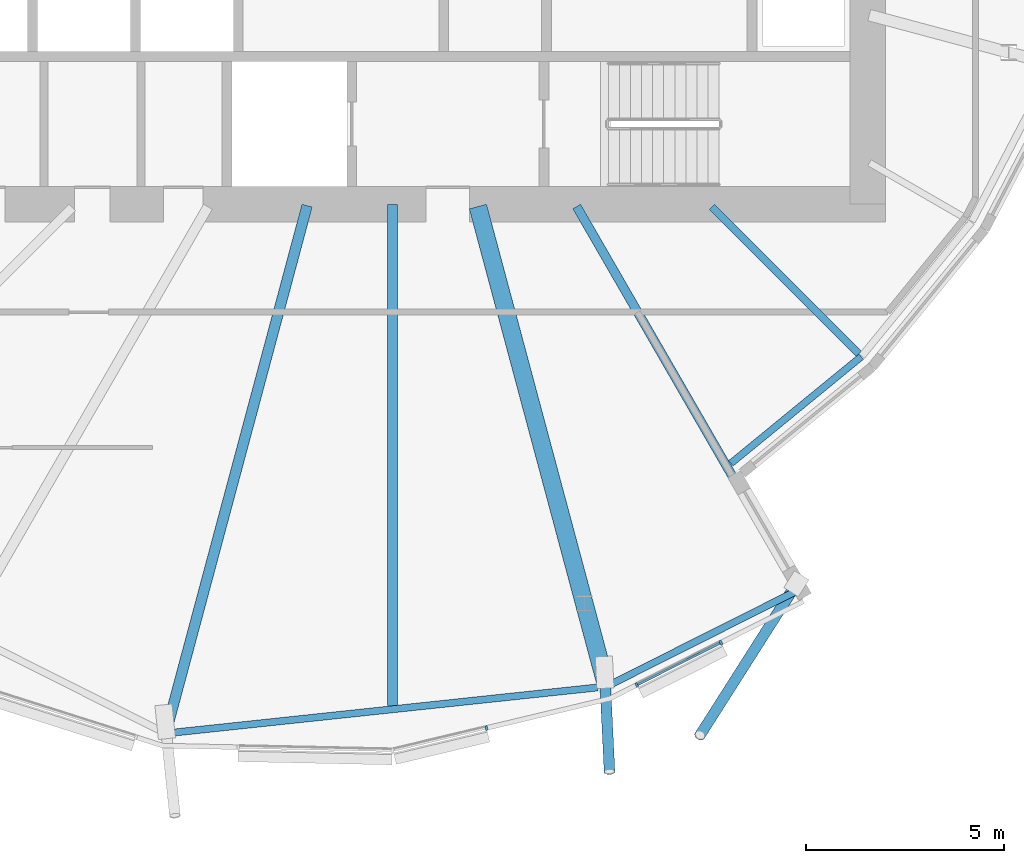
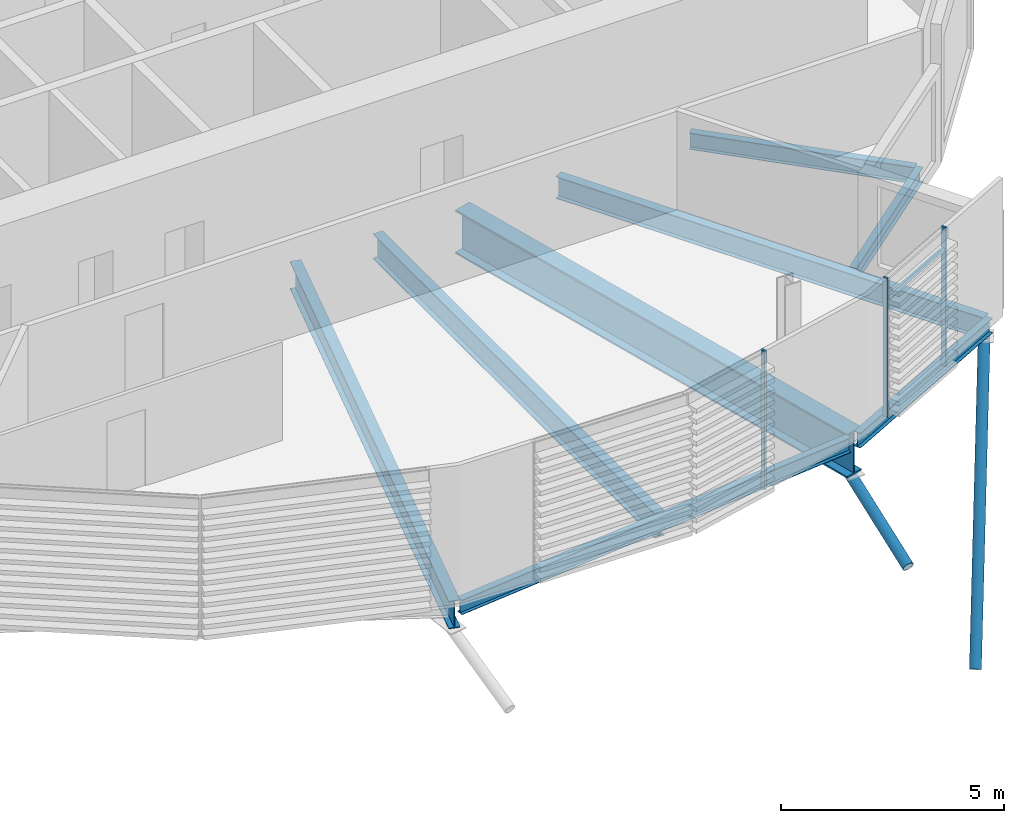
# One storey, part 13 of 38: 8 beams, 6 members, 1 element without a shape of its own.
"""IFC4 building model written with IfcOpenShell, lengths in metres."""

import ifcopenshell
import ifcopenshell.guid

model = None  # the IFC model being written
_history = None  # IfcOwnerHistory: only IFC2X3 demands one
_inside = {}  # id of a spatial element -> (the spatial element, [elements in it])
_under = {}  # id of a project, library or spatial element -> (it, [spatial elements below it])
_declared = {}  # id of a project -> (the project, [libraries it declares])
_typed = {}  # id of a type object -> (the type object, [elements of that type])
_made_of = {}  # id of a material, layer set ... -> (it, [elements and type objects made of it])


def new_model(schema):
    """Start an empty IFC model of exactly this schema.

    Asked for "IFC4X3", IfcOpenShell would pick the latest addendum, in which some entities
    have other attributes; the version numbers below select the first issue.
    IFC2X3 requires an IfcOwnerHistory on every rooted entity: one is made here for all.
    """
    global model, _history
    if schema == "IFC4X3":
        model = ifcopenshell.file(schema_version=(4, 3, 0, 0))
    else:
        model = ifcopenshell.file(schema=schema)
    _inside.clear()
    _under.clear()
    _declared.clear()
    _typed.clear()
    _made_of.clear()
    _history = None
    if model.schema == "IFC2X3":
        org = make("IfcOrganization", Name="unknown")
        user = make(
            "IfcPersonAndOrganization",
            ThePerson=make("IfcPerson", FamilyName="unknown"),
            TheOrganization=org,
        )
        app = make(
            "IfcApplication",
            ApplicationDeveloper=org,
            Version="unknown",
            ApplicationFullName="unknown",
            ApplicationIdentifier="unknown",
        )
        _history = make(
            "IfcOwnerHistory",
            OwningUser=user,
            OwningApplication=app,
            ChangeAction="ADDED",
            CreationDate=0,
        )
    return model


def make(cls, **values):
    """One entity of the class cls with the attributes given. An attribute that is None is left unset."""
    return model.create_entity(
        cls, **{name: value for name, value in values.items() if value is not None}
    )


def rooted(cls, **values):
    """An entity with a GlobalId (a new one), such as an element, a storey or a relation."""
    return make(cls, GlobalId=ifcopenshell.guid.new(), OwnerHistory=_history, **values)


def si_unit(unit_type, name, prefix=None):
    """IfcSIUnit, for example si_unit("LENGTHUNIT", "METRE", prefix="MILLI")."""
    return make("IfcSIUnit", UnitType=unit_type, Prefix=prefix, Name=name)


def assignment(units):
    """IfcUnitAssignment: the units of a project."""
    return None if units is None else make("IfcUnitAssignment", Units=units)


def point(xyz):
    """IfcCartesianPoint."""
    return None if xyz is None else make("IfcCartesianPoint", Coordinates=xyz)


def direction(xyz):
    """IfcDirection."""
    return None if xyz is None else make("IfcDirection", DirectionRatios=xyz)


def frame(location, z_axis=None, x_axis=None):
    """IfcAxis2Placement3D, a coordinate frame: its origin and axes. An axis left out is left unset."""
    return make(
        "IfcAxis2Placement3D",
        Location=point(location),
        Axis=direction(z_axis),
        RefDirection=direction(x_axis),
    )


def frame_2d(location, x_axis=None):
    """IfcAxis2Placement2D, a coordinate frame in the plane: its origin and x axis."""
    return make(
        "IfcAxis2Placement2D", Location=point(location), RefDirection=direction(x_axis)
    )


def origin():
    """The frame at (0, 0, 0) with its axes left unset."""
    return frame((0.0, 0.0, 0.0))


def origin_2d():
    """The frame at (0, 0) in the plane with its x axis left unset."""
    return frame_2d((0.0, 0.0))


def place(relative_to, where):
    """IfcLocalPlacement: puts the frame where relative to a parent placement (None: the world)."""
    return make(
        "IfcLocalPlacement", PlacementRelTo=relative_to, RelativePlacement=where
    )


def context(
    kind, dimensions, precision=None, world=None, true_north=None, identifier=None
):
    """IfcGeometricRepresentationContext, for example the 3D "Model" context."""
    return make(
        "IfcGeometricRepresentationContext",
        ContextIdentifier=identifier,
        ContextType=kind,
        CoordinateSpaceDimension=dimensions,
        Precision=precision,
        WorldCoordinateSystem=world,
        TrueNorth=true_north,
    )


def subcontext(parent, identifier, kind, view, scale=None):
    """IfcGeometricRepresentationSubContext, for example "Body" below "Model"."""
    return make(
        "IfcGeometricRepresentationSubContext",
        ContextIdentifier=identifier,
        ContextType=kind,
        ParentContext=parent,
        TargetScale=scale,
        TargetView=view,
    )


def project(units=None, contexts=None):
    """IfcProject with its units and contexts."""
    return rooted(
        "IfcProject",
        Name="project",
        RepresentationContexts=contexts,
        UnitsInContext=assignment(units),
    )


def spatial(cls, under=None, at=None, **own):
    """A site, building, storey or space (cls), placed at a placement, below another one or the project."""
    s = rooted(cls, ObjectPlacement=at, **own)
    if under is not None:
        _under.setdefault(under.id(), (under, []))[1].append(s)
    return s


def profile(cls, at=None, kind="AREA", **sizes):
    """A parametric profile (cls). Its sizes go by their IFC names, for example OverallWidth=200.0."""
    return make(cls, ProfileType=kind, Position=at, **sizes)


def rectangle(**sizes):
    """IfcRectangleProfileDef."""
    return profile("IfcRectangleProfileDef", **sizes)


def hollow_circle(**sizes):
    """IfcCircleHollowProfileDef."""
    return profile("IfcCircleHollowProfileDef", **sizes)


def i_section(**sizes):
    """IfcIShapeProfileDef."""
    return profile("IfcIShapeProfileDef", **sizes)


def extrude(swept, where, along, depth):
    """IfcExtrudedAreaSolid: the profile swept, set in the frame where, extruded along a direction by depth."""
    return make(
        "IfcExtrudedAreaSolid",
        SweptArea=swept,
        Position=where,
        ExtrudedDirection=direction(along),
        Depth=depth,
    )


def clip(a, b, op="DIFFERENCE"):
    """IfcBooleanClippingResult: the solid a cut by the half space b."""
    return make(
        "IfcBooleanClippingResult", Operator=op, FirstOperand=a, SecondOperand=b
    )


def halfspace(plane, agree):
    """IfcHalfSpaceSolid: all space on one side of the plane z = 0 of the frame plane."""
    return make(
        "IfcHalfSpaceSolid",
        BaseSurface=make("IfcPlane", Position=plane),
        AgreementFlag=agree,
    )


def shape(context_of_items, identifier, shape_type, items):
    """IfcShapeRepresentation: the items that make up one representation, for example the "Body"."""
    return make(
        "IfcShapeRepresentation",
        ContextOfItems=context_of_items,
        RepresentationIdentifier=identifier,
        RepresentationType=shape_type,
        Items=items,
    )


def material(Name=None, Category=None):
    """IfcMaterial."""
    return make("IfcMaterial", Name=Name, Category=Category)


def material_profile(
    of_material, cross_section, Name=None, Category=None, Priority=None
):
    """IfcMaterialProfile: a cross section and its material."""
    return make(
        "IfcMaterialProfile",
        Name=Name,
        Material=of_material,
        Profile=cross_section,
        Priority=Priority,
        Category=Category,
    )


def profile_set(profiles, Name=None, composite=None):
    """IfcMaterialProfileSet."""
    return make(
        "IfcMaterialProfileSet",
        Name=Name,
        MaterialProfiles=profiles,
        CompositeProfile=composite,
    )


def made_of(thing, what):
    """Note that an element or type object is made of a material, layer set ...; save() writes the relation."""
    if what is not None:
        _made_of.setdefault(what.id(), (what, []))[1].append(thing)
    return thing


def type_object(cls, material=None, **own):
    """A type object (cls), such as IfcWallType, which elements share."""
    return made_of(rooted(cls, **own), material)


def element(
    cls,
    number,
    at=None,
    inside=None,
    cuts=None,
    type_object=None,
    material=None,
    context=None,
    identifier="Body",
    shape_type=None,
    held_by="IfcProductDefinitionShape",
    body=None,
    shapes=None,
    **own,
):
    """One element of the class cls, such as IfcWall. Its Tag is "e" and its number.

    at: its placement. inside: the storey or other place that contains it. cuts: it is an
    opening in that element (IfcRelVoidsElement). A single representation is given by context,
    identifier, shape_type and body (its items); several are given by shapes. held_by: the class
    of the entity that holds the representations. save() writes the other relations.
    """
    e = rooted(cls, Tag="e%d" % number, ObjectPlacement=at, **own)
    if body is not None:
        shapes = [shape(context, identifier, shape_type, body)]
    if shapes is not None:
        e.Representation = make(held_by, Representations=shapes)
    if inside is not None:
        _inside.setdefault(inside.id(), (inside, []))[1].append(e)
    if cuts is not None:
        rooted(
            "IfcRelVoidsElement", RelatingBuildingElement=cuts, RelatedOpeningElement=e
        )
    if type_object is not None:
        _typed.setdefault(type_object.id(), (type_object, []))[1].append(e)
    return made_of(e, material)


def aggregate(whole, parts):
    """IfcRelAggregates: a whole, such as a stair, and the parts it consists of."""
    return rooted("IfcRelAggregates", RelatingObject=whole, RelatedObjects=parts)


def save(model, path):
    """Write the relations noted so far, then the file.

    IfcRelAggregates (storeys below a building ...), IfcRelContainedInSpatialStructure (elements
    in a storey), IfcRelDefinesByType, IfcRelAssociatesMaterial and IfcRelDeclares: one each for
    every whole, place, type object, material and project.
    """
    for whole, parts in _under.values():
        aggregate(whole, parts)
    for where, things in _inside.values():
        rooted(
            "IfcRelContainedInSpatialStructure",
            RelatedElements=things,
            RelatingStructure=where,
        )
    for kind, things in _typed.values():
        rooted("IfcRelDefinesByType", RelatedObjects=things, RelatingType=kind)
    for what, things in _made_of.values():
        rooted("IfcRelAssociatesMaterial", RelatedObjects=things, RelatingMaterial=what)
    for by, libraries in _declared.values():
        rooted("IfcRelDeclares", RelatingContext=by, RelatedDefinitions=libraries)
    model.write(path)


model = new_model("IFC4")

# Units and contexts
model_context = context("Model", 3, precision=1e-05, world=origin(), true_north=direction((0.0, 1.0)))
body_context = subcontext(model_context, "Body", "Model", "MODEL_VIEW")
ifc_project = project(units=[si_unit("LENGTHUNIT", "METRE"), si_unit("AREAUNIT", "SQUARE_METRE"), si_unit("VOLUMEUNIT", "CUBIC_METRE"), si_unit("PLANEANGLEUNIT", "RADIAN"), si_unit("MASSUNIT", "GRAM", prefix="KILO")], contexts=[model_context])

# Site, building, storey
site_placement = place(None, origin())
site = spatial("IfcSite", under=ifc_project, at=site_placement, CompositionType="ELEMENT")
building_placement = place(site_placement, origin())
building = spatial("IfcBuilding", under=site, at=building_placement, Name="Rimbun Link Towers", CompositionType="ELEMENT")
storey_placement = place(building_placement, frame((0.0, 0.0, 56.60009765625)))
storey = spatial("IfcBuildingStorey", under=building, at=storey_placement, Name="L13", CompositionType="ELEMENT", Elevation=56.60009765625)

# Curtain wall, members
ifc_material_1 = material(Name="Aluminium 6063-T6 and low-iron glass", Category="aluminium")
curtain_wall_type = type_object("IfcCurtainWallType", Name="CW1 unitised vision wall", PredefinedType="NOTDEFINED", material=ifc_material_1)
curtain_wall_placement = place(storey_placement, origin())
curtain_wall = element("IfcCurtainWall", 1, at=curtain_wall_placement, inside=storey, type_object=curtain_wall_type, Name="CW1 L13 T2", PredefinedType="NOTDEFINED")
ifc_material_2 = material(Name="Aluminium 6063-T6", Category="aluminium")
ifc_material_profile_1 = material_profile(ifc_material_2, rectangle(XDim=0.1201171875, YDim=0.06005859375, at=origin_2d()), Name="MULLION 60X120")
ifc_profile_set_1 = profile_set([ifc_material_profile_1], Name="Aluminium 6063-T6")
member_type_1 = type_object("IfcMemberType", Name="CW1 mullion 60X120", PredefinedType="MULLION", material=ifc_profile_set_1)
member_1_placement = place(storey_placement, frame((34.123779296875, -21.224365234375, 0.0), z_axis=(0.0, 0.0, 1.0), x_axis=(0.232603182737, -0.972571724543, 0.0)))
member_1 = element("IfcMember", 2, at=member_1_placement, type_object=member_type_1, Name="CW1 mullion", PredefinedType="MULLION", context=body_context, shape_type="SweptSolid", body=[
    extrude(rectangle(XDim=0.1201171875, YDim=0.06005859375, at=origin_2d()), origin(), (0.0, 0.0, 1.0), 3.7998046875),
])
member_2_placement = place(storey_placement, frame((40.047119140625, -19.070068359375, 0.0), z_axis=(0.0, 0.0, 1.0), x_axis=(0.448789200311, -0.893637652343, 0.0)))
member_2 = element("IfcMember", 3, at=member_2_placement, type_object=member_type_1, Name="CW1 mullion", PredefinedType="MULLION", context=body_context, shape_type="SweptSolid", body=[
    extrude(rectangle(XDim=0.1201171875, YDim=0.06005859375, at=origin_2d()), origin(), (0.0, 0.0, 1.0), 3.7998046875),
])
member_3_placement = place(storey_placement, frame((37.919189453125, -20.138671875, 0.0), z_axis=(0.0, 0.0, 1.0), x_axis=(0.448789200311, -0.893637652343, 0.0)))
member_3 = element("IfcMember", 4, at=member_3_placement, type_object=member_type_1, Name="CW1 mullion", PredefinedType="MULLION", context=body_context, shape_type="SweptSolid", body=[
    extrude(rectangle(XDim=0.1201171875, YDim=0.06005859375, at=origin_2d()), origin(), (0.0, 0.0, 1.0), 3.7998046875),
])
ifc_material_3 = material(Name="Aluminium 6063-T6", Category="aluminium")
ifc_material_profile_2 = material_profile(ifc_material_3, rectangle(XDim=0.06005859375, YDim=0.1201171875, at=origin_2d()), Name="TRANSOM 60X120")
ifc_profile_set_2 = profile_set([ifc_material_profile_2], Name="Aluminium 6063-T6")
member_type_2 = type_object("IfcMemberType", Name="CW1 transom 60X120", PredefinedType="USERDEFINED", material=ifc_profile_set_2)
member_4_placement = place(storey_placement, frame((40.019287109375, -19.08154296875, 3.199951171875), z_axis=(-0.893626378825, -0.448811647652, 0.0), x_axis=(0.448811647652, -0.893626378825, 0.0)))
member_4 = element("IfcMember", 5, at=member_4_placement, type_object=member_type_2, Name="CW1 transom", ObjectType="TRANSOM", PredefinedType="USERDEFINED", context=body_context, shape_type="SweptSolid", body=[
    extrude(rectangle(XDim=0.06005859375, YDim=0.1201171875, at=origin_2d()), origin(), (0.0, 0.0, 1.0), 2.321044921875),
])
aggregate(curtain_wall, [member_1, member_2, member_3, member_4])

# Members
ifc_material_4 = material(Name="Steel S355J2H", Category="steel")
ifc_material_profile_3 = material_profile(ifc_material_4, hollow_circle(Radius=0.136474609375, WallThickness=0.012451171875, at=origin_2d()), Name="CHS 273x12.5")
ifc_profile_set_3 = profile_set([ifc_material_profile_3], Name="Steel S355J2H")
member_type_3 = type_object("IfcMemberType", Name="Floor edge link CHS 273x12.5", PredefinedType="BRACE", material=ifc_profile_set_3)
member_5_placement = place(storey_placement, frame((37.119140625, -20.0380859375, -1.4833984375), z_axis=(0.044174294825, -0.904324639923, -0.424553385696), x_axis=(0.998809075665, 0.048789654328, 0.0)))
element("IfcMember", 6, at=member_5_placement, inside=storey, type_object=member_type_3, Name="Floor edge link T2 L13 16", PredefinedType="BRACE", context=body_context, shape_type="Clipping", body=[
    clip(extrude(hollow_circle(Radius=0.136474609375, WallThickness=0.012451171875, at=origin_2d()), frame((0.0, 0.0, -0.605712890625)), (0.0, 0.0, 1.0), 3.148193359375), halfspace(frame((0.0, 0.0, -0.28564453125), z_axis=(0.0, 0.905402906277, -0.424553385696)), False)),
])
member_6_placement = place(storey_placement, frame((41.923583984375, -17.62109375, -0.8466796875), z_axis=(-0.325568400586, -0.51141451956, -0.795273792931), x_axis=(0.84356973128, -0.537019653708, 0.0)))
element("IfcMember", 7, at=member_6_placement, inside=storey, type_object=member_type_3, Name="Floor edge link T2 L13 17", PredefinedType="BRACE", context=body_context, shape_type="Clipping", body=[
    clip(extrude(hollow_circle(Radius=0.136474609375, WallThickness=0.012451171875, at=origin_2d()), frame((0.0, 0.0, -0.220703125)), (0.0, 0.0, 1.0), 7.631103515625), halfspace(frame((0.0, 0.0, -0.10302734375), z_axis=(0.0, 0.606250438579, -0.795273792931)), False)),
])

# Beams
ifc_material_5 = material(Name="Steel S355J2", Category="steel")
ifc_material_profile_4 = material_profile(ifc_material_5, i_section(OverallWidth=0.449951171875, OverallDepth=1.199951171875, WebThickness=0.030029296875, FlangeThickness=0.044921875, at=origin_2d()), Name="PG 1200x450x30/45")
ifc_profile_set_4 = profile_set([ifc_material_profile_4], Name="Steel S355J2")
beam_type_1 = type_object("IfcBeamType", Name="PG 1200x450x30/45", PredefinedType="BEAM", material=ifc_profile_set_4)
beam_1_placement = place(storey_placement, frame((33.909423828125, -8.05908203125, -0.760009765625), z_axis=(0.258819391469, -0.96592573348, 0.0), x_axis=(0.96592573348, 0.258819391469, 0.0)))
element("IfcBeam", 8, at=beam_1_placement, inside=storey, type_object=beam_type_1, Name="Radial beam T2 L13 16", PredefinedType="BEAM", context=body_context, shape_type="SweptSolid", body=[
    extrude(i_section(OverallWidth=0.449951171875, OverallDepth=1.199951171875, WebThickness=0.030029296875, FlangeThickness=0.044921875, at=origin_2d()), origin(), (0.0, 0.0, 1.0), 12.451416015625),
])
ifc_material_6 = material(Name="Steel S355J2", Category="steel")
ifc_material_profile_5 = material_profile(ifc_material_6, i_section(OverallWidth=0.177978515625, OverallDepth=0.406494140625, WebThickness=0.0078125, FlangeThickness=0.0126953125, at=origin_2d()), Name="UB 406x178x60")
ifc_profile_set_5 = profile_set([ifc_material_profile_5], Name="Steel S355J2")
beam_type_2 = type_object("IfcBeamType", Name="UB 406x178x60", PredefinedType="BEAM", material=ifc_profile_set_5)
beam_2_placement = place(storey_placement, frame((26.169921875, -21.344482421875, -0.36328125), z_axis=(0.994381739314, 0.1058534672, 0.0), x_axis=(-0.1058534672, 0.994381739314, 0.0)))
element("IfcBeam", 9, at=beam_2_placement, inside=storey, type_object=beam_type_2, Name="Edge beam T2 L13 14-16", PredefinedType="BEAM", context=body_context, shape_type="SweptSolid", body=[
    extrude(i_section(OverallWidth=0.177978515625, OverallDepth=0.406494140625, WebThickness=0.0078125, FlangeThickness=0.0126953125, at=origin_2d()), origin(), (0.0, 0.0, 1.0), 10.8193359375),
])
beam_3_placement = place(storey_placement, frame((37.15673828125, -20.174560546875, -0.36328125), z_axis=(0.893414585083, 0.449233101142, 0.0), x_axis=(-0.449233101142, 0.893414585083, 0.0)))
element("IfcBeam", 10, at=beam_3_placement, inside=storey, type_object=beam_type_2, Name="Edge beam T2 L13 16", PredefinedType="BEAM", context=body_context, shape_type="SweptSolid", body=[
    extrude(i_section(OverallWidth=0.177978515625, OverallDepth=0.406494140625, WebThickness=0.0078125, FlangeThickness=0.0126953125, at=origin_2d()), origin(), (0.0, 0.0, 1.0), 5.412841796875),
])
beam_4_placement = place(storey_placement, frame((40.294921875, -14.541748046875, -0.36328125), z_axis=(0.773839596011, 0.63338162244, 0.0), x_axis=(-0.63338162244, 0.773839596011, 0.0)))
element("IfcBeam", 11, at=beam_4_placement, inside=storey, type_object=beam_type_2, Name="Edge beam T2 L13 17 recess", PredefinedType="BEAM", context=body_context, shape_type="SweptSolid", body=[
    extrude(i_section(OverallWidth=0.177978515625, OverallDepth=0.406494140625, WebThickness=0.0078125, FlangeThickness=0.0126953125, at=origin_2d()), origin(), (0.0, 0.0, 1.0), 4.25146484375),
])
ifc_material_7 = material(Name="Steel S355J2", Category="steel")
ifc_material_profile_6 = material_profile(ifc_material_7, i_section(OverallWidth=0.18994140625, OverallDepth=0.453369140625, WebThickness=0.008544921875, FlangeThickness=0.0126953125, at=origin_2d()), Name="UB 457x191x67")
ifc_profile_set_6 = profile_set([ifc_material_profile_6], Name="Steel S355J2")
beam_type_3 = type_object("IfcBeamType", Name="UB 457x191x67", PredefinedType="BEAM", material=ifc_profile_set_6)
beam_5_placement = place(storey_placement, frame((39.81787109375, -8.06787109375, -0.38671875), z_axis=(0.707106781187, -0.707106781187, 0.0), x_axis=(0.707106781187, 0.707106781187, 0.0)))
element("IfcBeam", 12, at=beam_5_placement, inside=storey, type_object=beam_type_3, Name="Radial beam T2 L13 18", PredefinedType="BEAM", context=body_context, shape_type="SweptSolid", body=[
    extrude(i_section(OverallWidth=0.18994140625, OverallDepth=0.453369140625, WebThickness=0.008544921875, FlangeThickness=0.0126953125, at=origin_2d()), origin(), (0.0, 0.0, 1.0), 5.248046875),
])
ifc_material_8 = material(Name="Steel S355J2", Category="steel")
ifc_material_profile_7 = material_profile(ifc_material_8, i_section(OverallWidth=0.2275390625, OverallDepth=0.6025390625, WebThickness=0.010498046875, FlangeThickness=0.014892578125, at=origin_2d()), Name="UB 610x229x101")
ifc_profile_set_7 = profile_set([ifc_material_profile_7], Name="Steel S355J2")
beam_type_4 = type_object("IfcBeamType", Name="UB 610x229x101", PredefinedType="BEAM", material=ifc_profile_set_7)
beam_6_placement = place(storey_placement, frame((36.402099609375, -8.057861328125, -0.46142578125), z_axis=(0.499997429213, -0.866026888024, 0.0), x_axis=(0.866026888024, 0.499997429213, 0.0)))
element("IfcBeam", 13, at=beam_6_placement, inside=storey, type_object=beam_type_4, Name="Radial beam T2 L13 17", PredefinedType="BEAM", context=body_context, shape_type="SweptSolid", body=[
    extrude(i_section(OverallWidth=0.2275390625, OverallDepth=0.6025390625, WebThickness=0.010498046875, FlangeThickness=0.014892578125, at=origin_2d()), origin(), (0.0, 0.0, 1.0), 11.0927734375),
])
ifc_material_9 = material(Name="Steel S355J2", Category="steel")
ifc_material_profile_8 = material_profile(ifc_material_9, i_section(OverallWidth=0.253662109375, OverallDepth=0.68359375, WebThickness=0.012451171875, FlangeThickness=0.01904296875, at=origin_2d()), Name="UB 686x254x140")
ifc_profile_set_8 = profile_set([ifc_material_profile_8], Name="Steel S355J2")
beam_type_5 = type_object("IfcBeamType", Name="UB 686x254x140", PredefinedType="BEAM", material=ifc_profile_set_8)
beam_7_placement = place(storey_placement, frame((31.75, -8.0009765625, -0.501708984375), z_axis=(0.0, -1.0, 0.0), x_axis=(1.0, 0.0, 0.0)))
element("IfcBeam", 14, at=beam_7_placement, inside=storey, type_object=beam_type_5, Name="Radial beam T2 L13 15", PredefinedType="BEAM", context=body_context, shape_type="SweptSolid", body=[
    extrude(i_section(OverallWidth=0.253662109375, OverallDepth=0.68359375, WebThickness=0.012451171875, FlangeThickness=0.01904296875, at=origin_2d()), origin(), (0.0, 0.0, 1.0), 12.658935546875),
])
ifc_material_10 = material(Name="Steel S355J2", Category="steel")
ifc_material_profile_9 = material_profile(ifc_material_10, i_section(OverallWidth=0.2666015625, OverallDepth=0.76220703125, WebThickness=0.014404296875, FlangeThickness=0.021484375, at=origin_2d()), Name="UB 762x267x173")
ifc_profile_set_9 = profile_set([ifc_material_profile_9], Name="Steel S355J2")
beam_type_6 = type_object("IfcBeamType", Name="UB 762x267x173", PredefinedType="BEAM", material=ifc_profile_set_9)
beam_8_placement = place(storey_placement, frame((29.596923828125, -8.035400390625, -0.541259765625), z_axis=(-0.258825730822, -0.965924034831, 0.0), x_axis=(0.965924034831, -0.258825730822, 0.0)))
element("IfcBeam", 15, at=beam_8_placement, inside=storey, type_object=beam_type_6, Name="Radial beam T2 L13 14", PredefinedType="BEAM", context=body_context, shape_type="SweptSolid", body=[
    extrude(i_section(OverallWidth=0.2666015625, OverallDepth=0.76220703125, WebThickness=0.014404296875, FlangeThickness=0.021484375, at=origin_2d()), origin(), (0.0, 0.0, 1.0), 13.794189453125),
])

save(model, "model.ifc")
